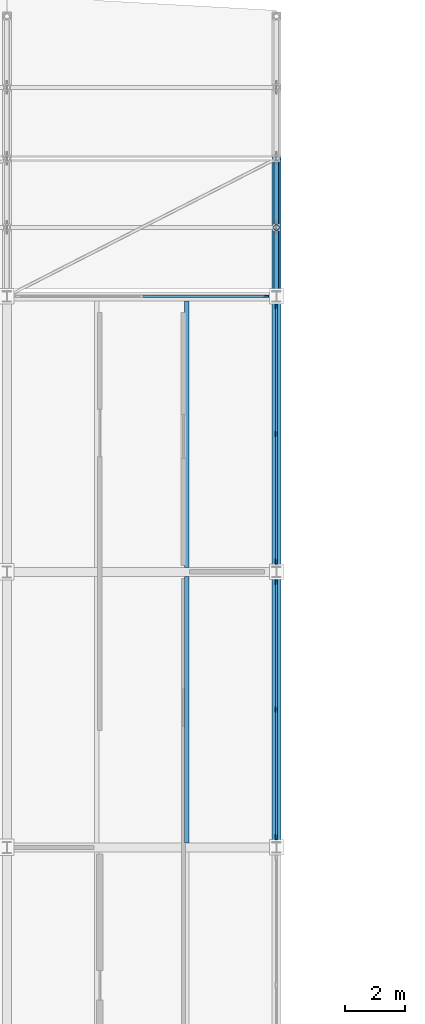
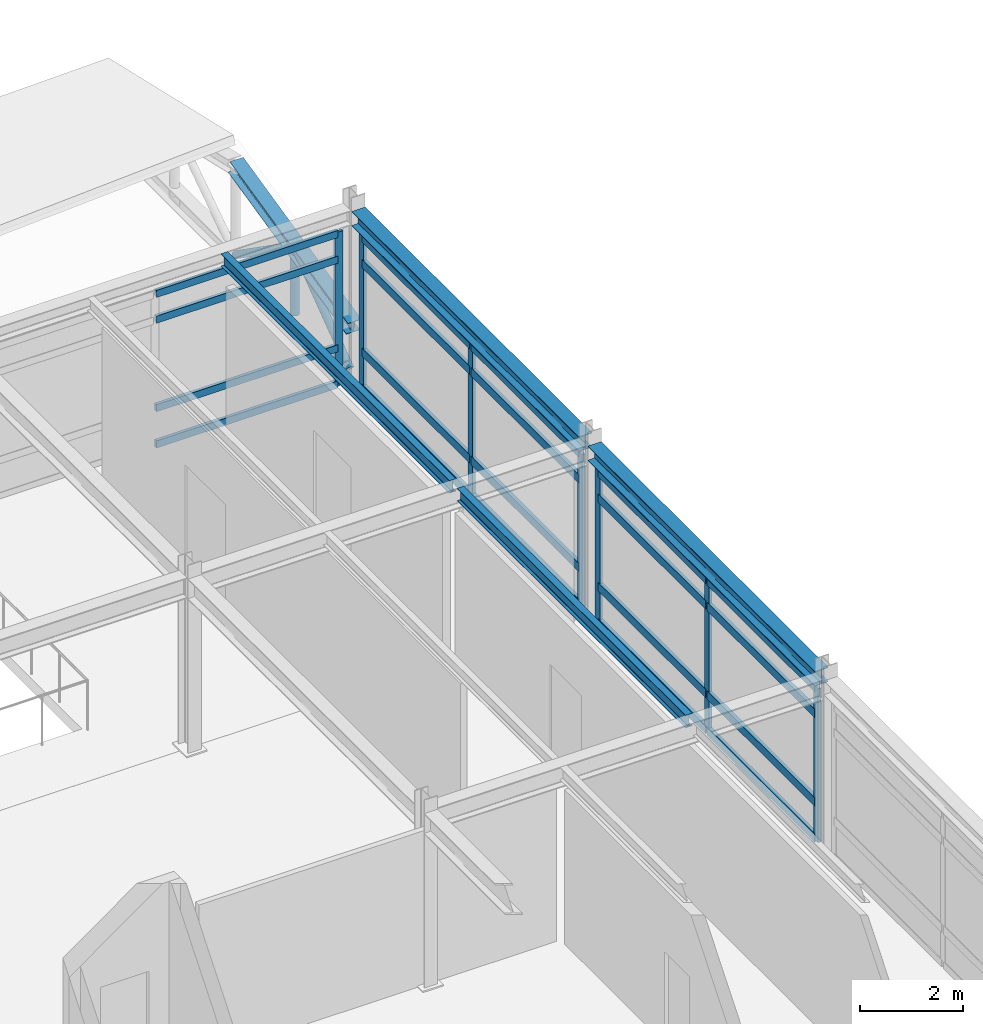
# One storey, part 22 of 55: 31 members, 4 beams, 3 elements without a shape of their own.
"""IFC4 building model written with IfcOpenShell, lengths in metres."""

from ifc_helpers import new_model, si_unit, direction, frame, origin, origin_2d, place, context, subcontext, project, spatial, rectangle, hollow_circle, i_section, extrude, material, material_profile, profile_set, type_object, element, aggregate, save


model = new_model("IFC4")

# Units and contexts
model_context = context("Model", 3, precision=1e-05, world=origin(), true_north=direction((0.0, 1.0)))
body_context = subcontext(model_context, "Body", "Model", "MODEL_VIEW")
ifc_project = project(units=[si_unit("LENGTHUNIT", "METRE"), si_unit("AREAUNIT", "SQUARE_METRE"), si_unit("VOLUMEUNIT", "CUBIC_METRE"), si_unit("PLANEANGLEUNIT", "RADIAN"), si_unit("MASSUNIT", "GRAM", prefix="KILO")], contexts=[model_context])

# Site, building, storey
site_placement = place(None, origin())
site = spatial("IfcSite", under=ifc_project, at=site_placement, CompositionType="ELEMENT")
building_placement = place(site_placement, origin())
building = spatial("IfcBuilding", under=site, at=building_placement, Name="Bozkorgan Art Gallery", CompositionType="ELEMENT")
storey_placement = place(building_placement, frame((0.0, 0.0, 15.0)))
storey = spatial("IfcBuildingStorey", under=building, at=storey_placement, Name="L03", CompositionType="ELEMENT", Elevation=15.0)

# Beams
ifc_material_1 = material(Name="Steel S355J2", Category="steel")
ifc_material_profile_1 = material_profile(ifc_material_1, i_section(OverallWidth=0.14990234375, OverallDepth=0.300048828125, WebThickness=0.007080078125, FlangeThickness=0.0107421875, FilletRadius=0.014892578125, at=origin_2d()), Name="IPE 300")
ifc_profile_set_1 = profile_set([ifc_material_profile_1], Name="Steel S355J2")
beam_type_1 = type_object("IfcBeamType", Name="BEAM-JS-88", PredefinedType="JOIST", material=ifc_profile_set_1)
beam_1_placement = place(storey_placement, frame((98.0, 66.14990234375, 4.030029296875), z_axis=(0.0, 1.0, 0.0), x_axis=(-1.0, 0.0, 0.0)))
element("IfcBeam", 1, at=beam_1_placement, inside=storey, type_object=beam_type_1, Name="V4 L03 secondary joist (92-101, 66.0-75.2) #2", PredefinedType="JOIST", context=body_context, shape_type="SweptSolid", body=[
    extrude(i_section(OverallWidth=0.14990234375, OverallDepth=0.300048828125, WebThickness=0.007080078125, FlangeThickness=0.0107421875, FilletRadius=0.014892578125, at=origin_2d()), origin(), (0.0, 0.0, 1.0), 8.900146484375),
])
beam_2_placement = place(storey_placement, frame((98.0, 75.35009765625, 4.030029296875), z_axis=(0.0, 1.0, 0.0), x_axis=(-1.0, 0.0, 0.0)))
element("IfcBeam", 2, at=beam_2_placement, inside=storey, type_object=beam_type_1, Name="V4 L03 secondary joist (92-101, 75.2-84.4) #2", PredefinedType="JOIST", context=body_context, shape_type="SweptSolid", body=[
    extrude(i_section(OverallWidth=0.14990234375, OverallDepth=0.300048828125, WebThickness=0.007080078125, FlangeThickness=0.0107421875, FilletRadius=0.014892578125, at=origin_2d()), origin(), (0.0, 0.0, 1.0), 8.89990234375),
])
ifc_material_profile_2 = material_profile(ifc_material_1, i_section(OverallWidth=0.300048828125, OverallDepth=0.35009765625, WebThickness=0.010009765625, FlangeThickness=0.017578125, FilletRadius=0.027099609375, at=origin_2d()), Name="HEA 360")
ifc_profile_set_2 = profile_set([ifc_material_profile_2], Name="Steel S355J2")
beam_type_2 = type_object("IfcBeamType", Name="BEAM-SP-97", PredefinedType="SPANDREL", material=ifc_profile_set_2)
for number, where, z_axis, x_axis, name in (
    (3, (101.0, 66.179931640625, 4.0048828125), (0.0, 1.0, 0.0), (-1.0, 0.0, 0.0), "V4 L03 spandrel Y (101, 66.0-75.2)"),
    (4, (101.0, 75.3798828125, 4.0048828125), (0.0, 1.0, 0.0), (-1.0, 0.0, 0.0), "V4 L03 spandrel Y (101, 75.2-84.4)"),
):
    element("IfcBeam", number, at=place(storey_placement, frame(where, z_axis=z_axis, x_axis=x_axis)), inside=storey, type_object=beam_type_2, Name=name, PredefinedType="SPANDREL", context=body_context, shape_type="SweptSolid", body=[
        extrude(i_section(OverallWidth=0.300048828125, OverallDepth=0.35009765625, WebThickness=0.010009765625, FlangeThickness=0.017578125, FilletRadius=0.027099609375, at=origin_2d()), origin(), (0.0, 0.0, 1.0), 8.840087890625),
    ])

# Curtain wall, member
ifc_material_2 = material(Name="Anodised Bronze Aluminium", Category="aluminium")
curtain_wall_type_1 = type_object("IfcCurtainWallType", Name="CW-CW-85", PredefinedType="NOTDEFINED", material=ifc_material_2)
curtain_wall_1_placement = place(storey_placement, origin())
curtain_wall_1 = element("IfcCurtainWall", 5, at=curtain_wall_1_placement, inside=storey, type_object=curtain_wall_type_1, Name="L03 unitised curtain wall CW-V4-L03-1N-06", PredefinedType="NOTDEFINED")
ifc_material_profile_3 = material_profile(ifc_material_2, rectangle(XDim=0.06494140625, YDim=0.179931640625, at=origin_2d()), Name="ALU MULLION 65x180")
ifc_profile_set_3 = profile_set([ifc_material_profile_3], Name="Anodised Bronze Aluminium")
member_type_1 = type_object("IfcMemberType", Name="CWM-01", PredefinedType="MULLION", material=ifc_profile_set_3)
member_1_placement = place(storey_placement, frame((100.652587890625, 84.39990234375, 0.02001953125), z_axis=(0.0, 0.0, 1.0), x_axis=(0.0, 1.0, 0.0)))
member_1 = element("IfcMember", 6, at=member_1_placement, type_object=member_type_1, Name="CW-85 mullion 3", PredefinedType="MULLION", context=body_context, shape_type="SweptSolid", body=[
    extrude(rectangle(XDim=0.06494140625, YDim=0.179931640625, at=origin_2d()), origin(), (0.0, 0.0, 1.0), 3.655029296875),
])

# Curtain wall, members
curtain_wall_type_2 = type_object("IfcCurtainWallType", Name="CW-CW-59", PredefinedType="NOTDEFINED", material=ifc_material_2)
curtain_wall_2_placement = place(storey_placement, origin())
curtain_wall_2 = element("IfcCurtainWall", 7, at=curtain_wall_2_placement, inside=storey, type_object=curtain_wall_type_2, Name="L03 unitised curtain wall CW-V4-L03-1E-14", PredefinedType="NOTDEFINED")
member_2_placement = place(storey_placement, frame((101.0, 66.347412109375, 0.02001953125), z_axis=(0.0, 0.0, 1.0), x_axis=(-1.0, 0.0, 0.0)))
member_2 = element("IfcMember", 8, at=member_2_placement, type_object=member_type_1, Name="CW-59 mullion 1", PredefinedType="MULLION", context=body_context, shape_type="SweptSolid", body=[
    extrude(rectangle(XDim=0.06494140625, YDim=0.179931640625, at=origin_2d()), origin(), (0.0, 0.0, 1.0), 3.655029296875),
])
member_3_placement = place(storey_placement, frame((101.0, 70.60009765625, 0.02001953125), z_axis=(0.0, 0.0, 1.0), x_axis=(-1.0, 0.0, 0.0)))
member_3 = element("IfcMember", 9, at=member_3_placement, type_object=member_type_1, Name="CW-59 mullion 2", PredefinedType="MULLION", context=body_context, shape_type="SweptSolid", body=[
    extrude(rectangle(XDim=0.06494140625, YDim=0.179931640625, at=origin_2d()), origin(), (0.0, 0.0, 1.0), 3.655029296875),
])
member_4_placement = place(storey_placement, frame((101.0, 74.8525390625, 0.02001953125), z_axis=(0.0, 0.0, 1.0), x_axis=(-1.0, 0.0, 0.0)))
member_4 = element("IfcMember", 10, at=member_4_placement, type_object=member_type_1, Name="CW-59 mullion 3", PredefinedType="MULLION", context=body_context, shape_type="SweptSolid", body=[
    extrude(rectangle(XDim=0.06494140625, YDim=0.179931640625, at=origin_2d()), origin(), (0.0, 0.0, 1.0), 3.655029296875),
])

curtain_wall_3_placement = place(storey_placement, origin())
curtain_wall_3 = element("IfcCurtainWall", 11, at=curtain_wall_3_placement, inside=storey, type_object=curtain_wall_type_2, Name="L03 unitised curtain wall CW-V4-L03-1E-16", PredefinedType="NOTDEFINED")
member_5_placement = place(storey_placement, frame((101.0, 75.547607421875, 0.02001953125), z_axis=(0.0, 0.0, 1.0), x_axis=(-1.0, 0.0, 0.0)))
member_5 = element("IfcMember", 12, at=member_5_placement, type_object=member_type_1, Name="CW-59 mullion 1", PredefinedType="MULLION", context=body_context, shape_type="SweptSolid", body=[
    extrude(rectangle(XDim=0.06494140625, YDim=0.179931640625, at=origin_2d()), origin(), (0.0, 0.0, 1.0), 3.655029296875),
])
member_6_placement = place(storey_placement, frame((101.0, 79.800048828125, 0.02001953125), z_axis=(0.0, 0.0, 1.0), x_axis=(-1.0, 0.0, 0.0)))
member_6 = element("IfcMember", 13, at=member_6_placement, type_object=member_type_1, Name="CW-59 mullion 2", PredefinedType="MULLION", context=body_context, shape_type="SweptSolid", body=[
    extrude(rectangle(XDim=0.06494140625, YDim=0.179931640625, at=origin_2d()), origin(), (0.0, 0.0, 1.0), 3.655029296875),
])
member_7_placement = place(storey_placement, frame((101.0, 84.052490234375, 0.02001953125), z_axis=(0.0, 0.0, 1.0), x_axis=(-1.0, 0.0, 0.0)))
member_7 = element("IfcMember", 14, at=member_7_placement, type_object=member_type_1, Name="CW-59 mullion 3", PredefinedType="MULLION", context=body_context, shape_type="SweptSolid", body=[
    extrude(rectangle(XDim=0.06494140625, YDim=0.179931640625, at=origin_2d()), origin(), (0.0, 0.0, 1.0), 3.655029296875),
])

# Member
ifc_material_profile_4 = material_profile(ifc_material_2, rectangle(XDim=0.074951171875, YDim=0.169921875, at=origin_2d()), Name="ALU TRANSOM 75x170")
ifc_profile_set_4 = profile_set([ifc_material_profile_4], Name="Anodised Bronze Aluminium")
member_type_2 = type_object("IfcMemberType", Name="CWT-02", PredefinedType="USERDEFINED", material=ifc_profile_set_4)
member_8_placement = place(storey_placement, frame((96.544921875, 84.39990234375, 0.0576171875), z_axis=(1.0, 0.0, 0.0), x_axis=(0.0, 1.0, 0.0)))
member_8 = element("IfcMember", 15, at=member_8_placement, type_object=member_type_2, Name="CW-85 transom 2.1", ObjectType="TRANSOM", PredefinedType="USERDEFINED", context=body_context, shape_type="SweptSolid", body=[
    extrude(rectangle(XDim=0.074951171875, YDim=0.169921875, at=origin_2d()), origin(), (0.0, 0.0, 1.0), 4.0751953125),
])

member_9_placement = place(storey_placement, frame((96.544921875, 84.39990234375, 0.919921875), z_axis=(1.0, 0.0, 0.0), x_axis=(0.0, 1.0, 0.0)))
member_9 = element("IfcMember", 16, at=member_9_placement, type_object=member_type_2, Name="CW-85 transom 2.2", ObjectType="TRANSOM", PredefinedType="USERDEFINED", context=body_context, shape_type="SweptSolid", body=[
    extrude(rectangle(XDim=0.074951171875, YDim=0.169921875, at=origin_2d()), origin(), (0.0, 0.0, 1.0), 4.0751953125),
])

member_10_placement = place(storey_placement, frame((96.544921875, 84.39990234375, 3.02490234375), z_axis=(1.0, 0.0, 0.0), x_axis=(0.0, 1.0, 0.0)))
member_10 = element("IfcMember", 17, at=member_10_placement, type_object=member_type_2, Name="CW-85 transom 2.3", ObjectType="TRANSOM", PredefinedType="USERDEFINED", context=body_context, shape_type="SweptSolid", body=[
    extrude(rectangle(XDim=0.074951171875, YDim=0.169921875, at=origin_2d()), origin(), (0.0, 0.0, 1.0), 4.0751953125),
])

member_11_placement = place(storey_placement, frame((96.544921875, 84.39990234375, 3.637451171875), z_axis=(1.0, 0.0, 0.0), x_axis=(0.0, 1.0, 0.0)))
member_11 = element("IfcMember", 18, at=member_11_placement, type_object=member_type_2, Name="CW-85 transom 2.4", ObjectType="TRANSOM", PredefinedType="USERDEFINED", context=body_context, shape_type="SweptSolid", body=[
    extrude(rectangle(XDim=0.074951171875, YDim=0.169921875, at=origin_2d()), origin(), (0.0, 0.0, 1.0), 4.0751953125),
])

aggregate(curtain_wall_1, [member_1, member_8, member_9, member_10, member_11])

ifc_material_profile_5 = material_profile(ifc_material_2, rectangle(XDim=0.080078125, YDim=0.199951171875, at=origin_2d()), Name="ALU TRANSOM 80x200")
ifc_profile_set_5 = profile_set([ifc_material_profile_5], Name="Anodised Bronze Aluminium")
member_type_3 = type_object("IfcMemberType", Name="CWT-03", PredefinedType="USERDEFINED", material=ifc_profile_set_5)
member_12_placement = place(storey_placement, frame((101.0, 66.3798828125, 0.06005859375), z_axis=(0.0, 1.0, 0.0), x_axis=(-1.0, 0.0, 0.0)))
member_12 = element("IfcMember", 19, at=member_12_placement, type_object=member_type_3, Name="CW-59 transom 1.1", ObjectType="TRANSOM", PredefinedType="USERDEFINED", context=body_context, shape_type="SweptSolid", body=[
    extrude(rectangle(XDim=0.080078125, YDim=0.199951171875, at=origin_2d()), origin(), (0.0, 0.0, 1.0), 4.1875),
])

member_13_placement = place(storey_placement, frame((101.0, 66.3798828125, 0.919921875), z_axis=(0.0, 1.0, 0.0), x_axis=(-1.0, 0.0, 0.0)))
member_13 = element("IfcMember", 20, at=member_13_placement, type_object=member_type_3, Name="CW-59 transom 1.2", ObjectType="TRANSOM", PredefinedType="USERDEFINED", context=body_context, shape_type="SweptSolid", body=[
    extrude(rectangle(XDim=0.080078125, YDim=0.199951171875, at=origin_2d()), origin(), (0.0, 0.0, 1.0), 4.1875),
])

member_14_placement = place(storey_placement, frame((101.0, 66.3798828125, 3.02490234375), z_axis=(0.0, 1.0, 0.0), x_axis=(-1.0, 0.0, 0.0)))
member_14 = element("IfcMember", 21, at=member_14_placement, type_object=member_type_3, Name="CW-59 transom 1.3", ObjectType="TRANSOM", PredefinedType="USERDEFINED", context=body_context, shape_type="SweptSolid", body=[
    extrude(rectangle(XDim=0.080078125, YDim=0.199951171875, at=origin_2d()), origin(), (0.0, 0.0, 1.0), 4.1875),
])

member_15_placement = place(storey_placement, frame((101.0, 66.3798828125, 3.635009765625), z_axis=(0.0, 1.0, 0.0), x_axis=(-1.0, 0.0, 0.0)))
member_15 = element("IfcMember", 22, at=member_15_placement, type_object=member_type_3, Name="CW-59 transom 1.4", ObjectType="TRANSOM", PredefinedType="USERDEFINED", context=body_context, shape_type="SweptSolid", body=[
    extrude(rectangle(XDim=0.080078125, YDim=0.199951171875, at=origin_2d()), origin(), (0.0, 0.0, 1.0), 4.1875),
])

member_16_placement = place(storey_placement, frame((101.0, 70.632568359375, 0.06005859375), z_axis=(0.0, 1.0, 0.0), x_axis=(-1.0, 0.0, 0.0)))
member_16 = element("IfcMember", 23, at=member_16_placement, type_object=member_type_3, Name="CW-59 transom 2.1", ObjectType="TRANSOM", PredefinedType="USERDEFINED", context=body_context, shape_type="SweptSolid", body=[
    extrude(rectangle(XDim=0.080078125, YDim=0.199951171875, at=origin_2d()), origin(), (0.0, 0.0, 1.0), 4.1875),
])

member_17_placement = place(storey_placement, frame((101.0, 70.632568359375, 0.919921875), z_axis=(0.0, 1.0, 0.0), x_axis=(-1.0, 0.0, 0.0)))
member_17 = element("IfcMember", 24, at=member_17_placement, type_object=member_type_3, Name="CW-59 transom 2.2", ObjectType="TRANSOM", PredefinedType="USERDEFINED", context=body_context, shape_type="SweptSolid", body=[
    extrude(rectangle(XDim=0.080078125, YDim=0.199951171875, at=origin_2d()), origin(), (0.0, 0.0, 1.0), 4.1875),
])

member_18_placement = place(storey_placement, frame((101.0, 70.632568359375, 3.02490234375), z_axis=(0.0, 1.0, 0.0), x_axis=(-1.0, 0.0, 0.0)))
member_18 = element("IfcMember", 25, at=member_18_placement, type_object=member_type_3, Name="CW-59 transom 2.3", ObjectType="TRANSOM", PredefinedType="USERDEFINED", context=body_context, shape_type="SweptSolid", body=[
    extrude(rectangle(XDim=0.080078125, YDim=0.199951171875, at=origin_2d()), origin(), (0.0, 0.0, 1.0), 4.1875),
])

member_19_placement = place(storey_placement, frame((101.0, 70.632568359375, 3.635009765625), z_axis=(0.0, 1.0, 0.0), x_axis=(-1.0, 0.0, 0.0)))
member_19 = element("IfcMember", 26, at=member_19_placement, type_object=member_type_3, Name="CW-59 transom 2.4", ObjectType="TRANSOM", PredefinedType="USERDEFINED", context=body_context, shape_type="SweptSolid", body=[
    extrude(rectangle(XDim=0.080078125, YDim=0.199951171875, at=origin_2d()), origin(), (0.0, 0.0, 1.0), 4.1875),
])

aggregate(curtain_wall_2, [member_2, member_3, member_4, member_12, member_13, member_14, member_15, member_16, member_17, member_18, member_19])

member_20_placement = place(storey_placement, frame((101.0, 75.580078125, 0.06005859375), z_axis=(0.0, 1.0, 0.0), x_axis=(-1.0, 0.0, 0.0)))
member_20 = element("IfcMember", 27, at=member_20_placement, type_object=member_type_3, Name="CW-59 transom 1.1", ObjectType="TRANSOM", PredefinedType="USERDEFINED", context=body_context, shape_type="SweptSolid", body=[
    extrude(rectangle(XDim=0.080078125, YDim=0.199951171875, at=origin_2d()), origin(), (0.0, 0.0, 1.0), 4.1875),
])

member_21_placement = place(storey_placement, frame((101.0, 75.580078125, 0.919921875), z_axis=(0.0, 1.0, 0.0), x_axis=(-1.0, 0.0, 0.0)))
member_21 = element("IfcMember", 28, at=member_21_placement, type_object=member_type_3, Name="CW-59 transom 1.2", ObjectType="TRANSOM", PredefinedType="USERDEFINED", context=body_context, shape_type="SweptSolid", body=[
    extrude(rectangle(XDim=0.080078125, YDim=0.199951171875, at=origin_2d()), origin(), (0.0, 0.0, 1.0), 4.1875),
])

member_22_placement = place(storey_placement, frame((101.0, 75.580078125, 3.02490234375), z_axis=(0.0, 1.0, 0.0), x_axis=(-1.0, 0.0, 0.0)))
member_22 = element("IfcMember", 29, at=member_22_placement, type_object=member_type_3, Name="CW-59 transom 1.3", ObjectType="TRANSOM", PredefinedType="USERDEFINED", context=body_context, shape_type="SweptSolid", body=[
    extrude(rectangle(XDim=0.080078125, YDim=0.199951171875, at=origin_2d()), origin(), (0.0, 0.0, 1.0), 4.1875),
])

member_23_placement = place(storey_placement, frame((101.0, 75.580078125, 3.635009765625), z_axis=(0.0, 1.0, 0.0), x_axis=(-1.0, 0.0, 0.0)))
member_23 = element("IfcMember", 30, at=member_23_placement, type_object=member_type_3, Name="CW-59 transom 1.4", ObjectType="TRANSOM", PredefinedType="USERDEFINED", context=body_context, shape_type="SweptSolid", body=[
    extrude(rectangle(XDim=0.080078125, YDim=0.199951171875, at=origin_2d()), origin(), (0.0, 0.0, 1.0), 4.1875),
])

member_24_placement = place(storey_placement, frame((101.0, 79.83251953125, 0.06005859375), z_axis=(0.0, 1.0, 0.0), x_axis=(-1.0, 0.0, 0.0)))
member_24 = element("IfcMember", 31, at=member_24_placement, type_object=member_type_3, Name="CW-59 transom 2.1", ObjectType="TRANSOM", PredefinedType="USERDEFINED", context=body_context, shape_type="SweptSolid", body=[
    extrude(rectangle(XDim=0.080078125, YDim=0.199951171875, at=origin_2d()), origin(), (0.0, 0.0, 1.0), 4.1875),
])

member_25_placement = place(storey_placement, frame((101.0, 79.83251953125, 0.919921875), z_axis=(0.0, 1.0, 0.0), x_axis=(-1.0, 0.0, 0.0)))
member_25 = element("IfcMember", 32, at=member_25_placement, type_object=member_type_3, Name="CW-59 transom 2.2", ObjectType="TRANSOM", PredefinedType="USERDEFINED", context=body_context, shape_type="SweptSolid", body=[
    extrude(rectangle(XDim=0.080078125, YDim=0.199951171875, at=origin_2d()), origin(), (0.0, 0.0, 1.0), 4.1875),
])

member_26_placement = place(storey_placement, frame((101.0, 79.83251953125, 3.02490234375), z_axis=(0.0, 1.0, 0.0), x_axis=(-1.0, 0.0, 0.0)))
member_26 = element("IfcMember", 33, at=member_26_placement, type_object=member_type_3, Name="CW-59 transom 2.3", ObjectType="TRANSOM", PredefinedType="USERDEFINED", context=body_context, shape_type="SweptSolid", body=[
    extrude(rectangle(XDim=0.080078125, YDim=0.199951171875, at=origin_2d()), origin(), (0.0, 0.0, 1.0), 4.1875),
])

member_27_placement = place(storey_placement, frame((101.0, 79.83251953125, 3.635009765625), z_axis=(0.0, 1.0, 0.0), x_axis=(-1.0, 0.0, 0.0)))
member_27 = element("IfcMember", 34, at=member_27_placement, type_object=member_type_3, Name="CW-59 transom 2.4", ObjectType="TRANSOM", PredefinedType="USERDEFINED", context=body_context, shape_type="SweptSolid", body=[
    extrude(rectangle(XDim=0.080078125, YDim=0.199951171875, at=origin_2d()), origin(), (0.0, 0.0, 1.0), 4.1875),
])

aggregate(curtain_wall_3, [member_5, member_6, member_7, member_20, member_21, member_22, member_23, member_24, member_25, member_26, member_27])

# Members
ifc_material_profile_6 = material_profile(ifc_material_1, i_section(OverallWidth=0.300048828125, OverallDepth=0.31005859375, WebThickness=0.009033203125, FlangeThickness=0.015380859375, FilletRadius=0.027099609375, at=origin_2d()), Name="HEA 320")
ifc_profile_set_6 = profile_set([ifc_material_profile_6], Name="Steel S355J2")
member_type_4 = type_object("IfcMemberType", Name="MEMBER-TC-13", PredefinedType="CHORD", material=ifc_profile_set_6)
member_28_placement = place(storey_placement, frame((101.0, 84.39990234375, 1.275390625), z_axis=(0.0, 0.974370273991, 0.224950148172), x_axis=(-1.0, 0.0, 0.0)))
element("IfcMember", 35, at=member_28_placement, inside=storey, type_object=member_type_4, Name="ROOF-V4-STEP3 roof truss 4 south top chord", PredefinedType="CHORD", context=body_context, shape_type="SweptSolid", body=[
    extrude(i_section(OverallWidth=0.300048828125, OverallDepth=0.31005859375, WebThickness=0.009033203125, FlangeThickness=0.015380859375, FilletRadius=0.027099609375, at=origin_2d()), origin(), (0.0, 0.0, 1.0), 4.72119140625),
])
ifc_material_profile_7 = material_profile(ifc_material_1, hollow_circle(Radius=0.096923828125, WallThickness=0.008056640625, at=origin_2d()), Name="CHS 193.7x8")
ifc_profile_set_7 = profile_set([ifc_material_profile_7], Name="Steel S355J2")
member_type_5 = type_object("IfcMemberType", Name="MEMBER-TP-46", PredefinedType="POST", material=ifc_profile_set_7)
member_29_placement = place(storey_placement, frame((101.0, 86.699951171875, 0.199951171875), z_axis=(0.0, 0.0, 1.0), x_axis=(1.0, 0.0, 0.0)))
element("IfcMember", 36, at=member_29_placement, inside=storey, type_object=member_type_5, Name="ROOF-V4-STEP3 roof truss 4 post 1", PredefinedType="POST", context=body_context, shape_type="SweptSolid", body=[
    extrude(hollow_circle(Radius=0.096923828125, WallThickness=0.008056640625, at=origin_2d()), origin(), (0.0, 0.0, 1.0), 1.6064453125),
])
ifc_material_profile_8 = material_profile(ifc_material_1, hollow_circle(Radius=0.084228515625, WallThickness=0.008056640625, at=origin_2d()), Name="CHS 168.3x8")
ifc_profile_set_8 = profile_set([ifc_material_profile_8], Name="Steel S355J2")
member_type_6 = type_object("IfcMemberType", Name="MEMBER-TW-40", PredefinedType="BRACE", material=ifc_profile_set_8)
member_30_placement = place(storey_placement, frame((101.0, 84.550048828125, 0.199951171875), z_axis=(0.0, 0.801068517824, 0.598572660377), x_axis=(-1.0, 0.0, 0.0)))
element("IfcMember", 37, at=member_30_placement, inside=storey, type_object=member_type_6, Name="ROOF-V4-STEP3 roof truss 4 diagonal 1", PredefinedType="BRACE", context=body_context, shape_type="SweptSolid", body=[
    extrude(hollow_circle(Radius=0.084228515625, WallThickness=0.008056640625, at=origin_2d()), origin(), (0.0, 0.0, 1.0), 2.683837890625),
])
member_31_placement = place(storey_placement, frame((101.0, 86.699951171875, 1.806396484375), z_axis=(0.0, 0.81983244676, -0.572603492165), x_axis=(-1.0, 0.0, 0.0)))
element("IfcMember", 38, at=member_31_placement, inside=storey, type_object=member_type_6, Name="ROOF-V4-STEP3 roof truss 4 diagonal 2", PredefinedType="BRACE", context=body_context, shape_type="SweptSolid", body=[
    extrude(hollow_circle(Radius=0.084228515625, WallThickness=0.008056640625, at=origin_2d()), origin(), (0.0, 0.0, 1.0), 2.805419921875),
])

save(model, "model.ifc")
